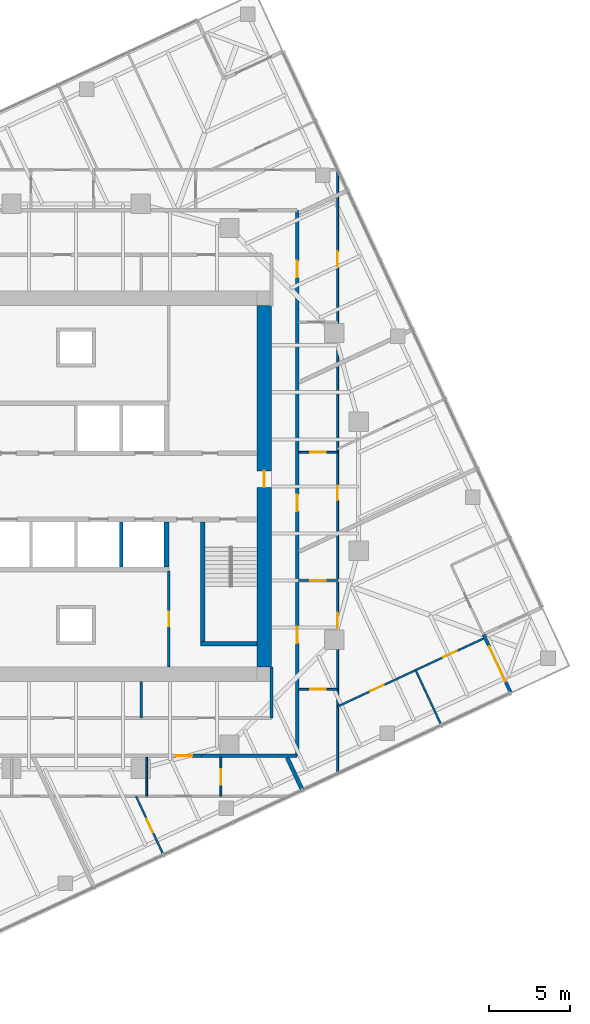
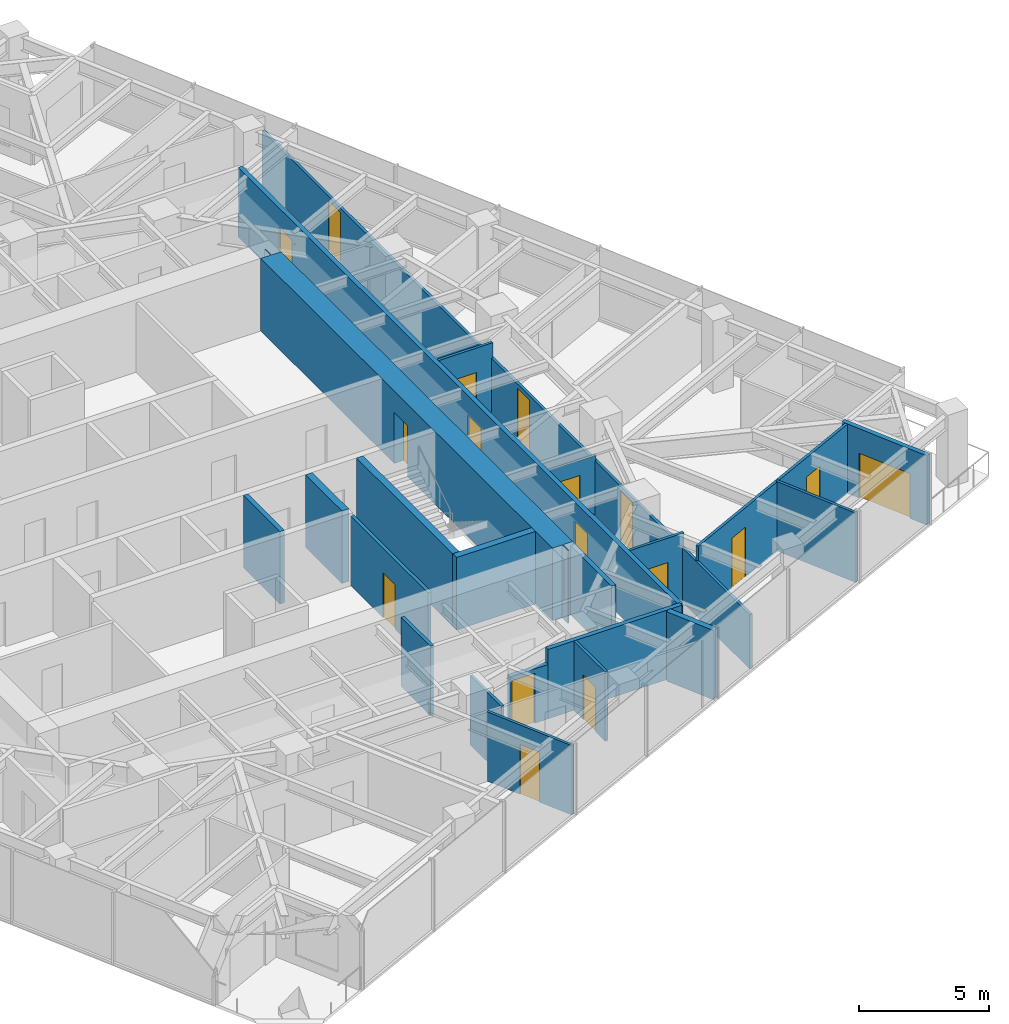
# One storey, part 9 of 12: 22 walls, 17 doors, 17 openings.
"""IFC4 building model written with IfcOpenShell, lengths in metres."""

from ifc_helpers import new_model, si_unit, direction, frame, frame_2d, origin, place, context, subcontext, project, spatial, polyline, rectangle, outline, extrude, material, layer, layer_set, type_object, element, fill, save


model = new_model("IFC4")

# Units and contexts
model_context = context("Model", 3, precision=1e-05, world=origin(), true_north=direction((0.0, 1.0)))
body_context = subcontext(model_context, "Body", "Model", "MODEL_VIEW")
ifc_project = project(units=[si_unit("LENGTHUNIT", "METRE"), si_unit("AREAUNIT", "SQUARE_METRE"), si_unit("VOLUMEUNIT", "CUBIC_METRE"), si_unit("PLANEANGLEUNIT", "RADIAN"), si_unit("MASSUNIT", "GRAM", prefix="KILO")], contexts=[model_context])

# Site, building, storey
site_placement = place(None, origin())
site = spatial("IfcSite", under=ifc_project, at=site_placement, CompositionType="ELEMENT")
building_placement = place(site_placement, origin())
building = spatial("IfcBuilding", under=site, at=building_placement, Name="Torsade Residences", CompositionType="ELEMENT")
storey_placement = place(building_placement, frame((0.0, 0.0, 186.199951171875)))
storey = spatial("IfcBuildingStorey", under=building, at=storey_placement, Name="L51", CompositionType="ELEMENT", Elevation=186.199951171875)

# Walls
ifc_material_1 = material(Name="Concrete 80 MPa", Category="concrete")
ifc_layer_1 = layer(ifc_material_1, 0.300048828125)
ifc_layer_set_1 = layer_set([ifc_layer_1], Name="Concrete 80 MPa")
wall_type_1 = type_object("IfcWallType", Name="CORE INTERNAL WALL 300", PredefinedType="SHEAR", material=ifc_layer_set_1)
wall_1_placement = place(storey_placement, frame((45.60009765625, 27.800048828125, 0.0), z_axis=(0.0, 0.0, 1.0), x_axis=(0.0, -1.0, 0.0)))
element("IfcWall", 1, at=wall_1_placement, inside=storey, type_object=wall_type_1, Name="Core wall DS0 L51", PredefinedType="SHEAR", context=body_context, shape_type="SweptSolid", body=[
    extrude(rectangle(XDim=2.800048828125, YDim=0.300048828125, at=frame_2d((1.39990234375, 0.0))), origin(), (0.0, 0.0, 1.0), 3.400146484375),
])
wall_2_placement = place(storey_placement, frame((47.85009765625, 27.800048828125, 0.0), z_axis=(0.0, 0.0, 1.0), x_axis=(0.0, -1.0, 0.0)))
element("IfcWall", 2, at=wall_2_placement, inside=storey, type_object=wall_type_1, Name="Core wall ST2W L51", PredefinedType="SHEAR", context=body_context, shape_type="SweptSolid", body=[
    extrude(rectangle(XDim=7.699951171875, YDim=0.300048828125, at=frame_2d((3.85009765625, 0.0))), origin(), (0.0, 0.0, 1.0), 3.400146484375),
])
wall_3_placement = place(storey_placement, frame((51.199951171875, 20.25, 0.0), z_axis=(0.0, 0.0, 1.0), x_axis=(-1.0, 0.0, 0.0)))
element("IfcWall", 3, at=wall_3_placement, inside=storey, type_object=wall_type_1, Name="Core wall ST2S L51", PredefinedType="SHEAR", context=body_context, shape_type="SweptSolid", body=[
    extrude(rectangle(XDim=3.5, YDim=0.300048828125, at=frame_2d((1.75, 0.0))), origin(), (0.0, 0.0, 1.0), 3.400146484375),
])

# Wall, opening, door
ifc_material_2 = material(Name="Concrete 80 MPa", Category="concrete")
ifc_layer_2 = layer(ifc_material_2, 0.89990234375)
ifc_layer_set_2 = layer_set([ifc_layer_2], Name="Concrete 80 MPa")
wall_type_2 = type_object("IfcWallType", Name="CORE WALL 900", PredefinedType="SHEAR", material=ifc_layer_set_2)
wall_4_placement = place(storey_placement, frame((51.64990234375, 18.800048828125, 0.0), z_axis=(0.0, 0.0, 1.0), x_axis=(0.0, 1.0, 0.0)))
wall_4 = element("IfcWall", 4, at=wall_4_placement, inside=storey, type_object=wall_type_2, Name="Core wall E L51", PredefinedType="SHEAR", context=body_context, shape_type="SweptSolid", body=[
    extrude(outline(polyline([(0.0, -0.449951171875), (22.39990234375, -0.449951171875), (22.39990234375, -0.02490234375), (22.849853515625, -0.02490234375), (22.849853515625, 0.02490234375), (22.39990234375, 0.02490234375), (22.39990234375, 0.449951171875), (0.0, 0.449951171875), (0.0, 0.02490234375), (-0.449951171875, 0.02490234375), (-0.449951171875, -0.02490234375), (0.0, -0.02490234375), (0.0, -0.449951171875)])), origin(), (0.0, 0.0, 1.0), 3.400146484375),
])
opening_1_placement = place(wall_4_placement, frame((11.139892578125, 0.0, 0.0)))
opening_1 = element("IfcOpeningElement", 5, at=opening_1_placement, cuts=wall_4, Name="Opening D04", PredefinedType="OPENING", context=body_context, shape_type="SweptSolid", body=[
    extrude(rectangle(XDim=1.02001953125, YDim=2.39990234375, at=frame_2d((0.510009765625, 1.199951171875))), frame((0.0, 0.4599609375, 0.0), z_axis=(0.0, -1.0, 0.0), x_axis=(1.0, 0.0, 0.0)), (0.0, 0.0, 1.0), 0.919921875),
])
ifc_material_3 = material(Name="Steel-framed fire door", Category="steel")
door_type_1 = type_object("IfcDoorType", Name="LOBBY SMOKE DOOR 1020x2400", OperationType="NOTDEFINED", PredefinedType="DOOR", material=ifc_material_3)
door_1_placement = place(opening_1_placement, origin())
door_1 = element("IfcDoor", 6, at=door_1_placement, inside=storey, type_object=door_type_1, Name="Lift lobby door E L51", OperationType="SINGLE_SWING_LEFT", OverallHeight=2.39990234375, OverallWidth=1.02001953125, PredefinedType="DOOR", context=body_context, shape_type="SweptSolid", body=[
    extrude(rectangle(XDim=1.02001953125, YDim=2.39990234375, at=frame_2d((0.510009765625, 1.199951171875))), frame((0.0, 0.02490234375, 0.0), z_axis=(0.0, -1.0, 0.0), x_axis=(1.0, 0.0, 0.0)), (0.0, 0.0, 1.0), 0.050048828125),
])
fill(opening_1, door_1)

ifc_material_4 = material(Name="Plasterboard on steel stud", Category="steel")
ifc_layer_3 = layer(ifc_material_4, 0.199951171875)
ifc_layer_set_3 = layer_set([ifc_layer_3], Name="Plasterboard on steel stud")
wall_type_3 = type_object("IfcWallType", Name="CORRIDOR WALL 200", PredefinedType="PARTITIONING", material=ifc_layer_set_3)
wall_5_placement = place(storey_placement, frame((46.091552734375, 13.300048828125, 0.0), z_axis=(0.0, 0.0, 1.0), x_axis=(1.0, 0.0, 0.0)))
wall_5 = element("IfcWall", 7, at=wall_5_placement, inside=storey, type_object=wall_type_3, Name="Corridor wall L51", PredefinedType="PARTITIONING", context=body_context, shape_type="SweptSolid", body=[
    extrude(rectangle(XDim=1.68359375, YDim=0.199951171875, at=frame_2d((0.841796875, 0.0))), origin(), (0.0, 0.0, 1.0), 2.550048828125),
])
opening_2_placement = place(wall_5_placement, frame((0.072509765625, 0.0, 0.0)))
opening_2 = element("IfcOpeningElement", 8, at=opening_2_placement, cuts=wall_5, Name="Opening D01", PredefinedType="OPENING", context=body_context, shape_type="SweptSolid", body=[
    extrude(rectangle(XDim=1.02001953125, YDim=2.340087890625, at=frame_2d((0.510009765625, 1.169921875))), frame((0.0, 0.10986328125, 0.0), z_axis=(0.0, -1.0, 0.0), x_axis=(1.0, 0.0, 0.0)), (0.0, 0.0, 1.0), 0.219970703125),
])
ifc_material_5 = material(Name="Solid-core timber fire door", Category="wood")
door_type_2 = type_object("IfcDoorType", Name="APARTMENT ENTRY DOOR 1020x2340", OperationType="NOTDEFINED", PredefinedType="DOOR", material=ifc_material_5)
door_2_placement = place(opening_2_placement, origin())
door_2 = element("IfcDoor", 9, at=door_2_placement, inside=storey, type_object=door_type_2, Name="Door Residential corridor to Kitchen and dining", OperationType="SINGLE_SWING_RIGHT", OverallHeight=2.340087890625, OverallWidth=1.02001953125, PredefinedType="DOOR", context=body_context, shape_type="SweptSolid", body=[
    extrude(rectangle(XDim=1.02001953125, YDim=2.340087890625, at=frame_2d((0.510009765625, 1.169921875))), frame((0.0, 0.02490234375, 0.0), z_axis=(0.0, -1.0, 0.0), x_axis=(1.0, 0.0, 0.0)), (0.0, 0.0, 1.0), 0.050048828125),
])
fill(opening_2, door_2)

# Wall
wall_6_placement = place(storey_placement, frame((47.775146484375, 13.300048828125, 0.0), z_axis=(0.0, 0.0, 1.0), x_axis=(1.0, 0.0, 0.0)))
element("IfcWall", 10, at=wall_6_placement, inside=storey, type_object=wall_type_3, Name="Corridor wall L51", PredefinedType="PARTITIONING", context=body_context, shape_type="SweptSolid", body=[
    extrude(rectangle(XDim=5.9248046875, YDim=0.199951171875, at=frame_2d((2.96240234375, 0.0))), origin(), (0.0, 0.0, 1.0), 3.25),
])

# Wall, openings, doors
wall_7_placement = place(storey_placement, frame((53.699951171875, 13.300048828125, 0.0), z_axis=(0.0, 0.0, 1.0), x_axis=(0.0, 1.0, 0.0)))
wall_7 = element("IfcWall", 11, at=wall_7_placement, inside=storey, type_object=wall_type_3, Name="Corridor wall L51", PredefinedType="PARTITIONING", context=body_context, shape_type="SweptSolid", body=[
    extrude(rectangle(XDim=33.800048828125, YDim=0.199951171875, at=frame_2d((16.89990234375, 0.0))), origin(), (0.0, 0.0, 1.0), 3.25),
])
opening_3_placement = place(wall_7_placement, frame((6.983642578125, 0.0, 0.0)))
opening_3 = element("IfcOpeningElement", 12, at=opening_3_placement, cuts=wall_7, Name="Opening D01", PredefinedType="OPENING", context=body_context, shape_type="SweptSolid", body=[
    extrude(rectangle(XDim=1.02001953125, YDim=2.340087890625, at=frame_2d((0.510009765625, 1.169921875))), frame((0.0, 0.10986328125, 0.0), z_axis=(0.0, -1.0, 0.0), x_axis=(1.0, 0.0, 0.0)), (0.0, 0.0, 1.0), 0.219970703125),
])
opening_4_placement = place(wall_7_placement, frame((29.6484375, 0.0, 0.0)))
opening_4 = element("IfcOpeningElement", 13, at=opening_4_placement, cuts=wall_7, Name="Opening D01", PredefinedType="OPENING", context=body_context, shape_type="SweptSolid", body=[
    extrude(rectangle(XDim=1.02001953125, YDim=2.340087890625, at=frame_2d((0.510009765625, 1.169921875))), frame((0.0, 0.10986328125, 0.0), z_axis=(0.0, -1.0, 0.0), x_axis=(1.0, 0.0, 0.0)), (0.0, 0.0, 1.0), 0.219970703125),
])
opening_5_placement = place(wall_7_placement, frame((15.160400390625, 0.0, 0.0)))
opening_5 = element("IfcOpeningElement", 14, at=opening_5_placement, cuts=wall_7, Name="Opening D01", PredefinedType="OPENING", context=body_context, shape_type="SweptSolid", body=[
    extrude(rectangle(XDim=1.02001953125, YDim=2.340087890625, at=frame_2d((0.510009765625, 1.169921875))), frame((0.0, 0.10986328125, 0.0), z_axis=(0.0, -1.0, 0.0), x_axis=(1.0, 0.0, 0.0)), (0.0, 0.0, 1.0), 0.219970703125),
])
door_3_placement = place(opening_3_placement, origin())
door_3 = element("IfcDoor", 15, at=door_3_placement, inside=storey, type_object=door_type_2, Name="Door Residential corridor to Kitchen and dining", OperationType="SINGLE_SWING_LEFT", OverallHeight=2.340087890625, OverallWidth=1.02001953125, PredefinedType="DOOR", context=body_context, shape_type="SweptSolid", body=[
    extrude(rectangle(XDim=1.02001953125, YDim=2.340087890625, at=frame_2d((0.510009765625, 1.169921875))), frame((0.0, 0.02490234375, 0.0), z_axis=(0.0, -1.0, 0.0), x_axis=(1.0, 0.0, 0.0)), (0.0, 0.0, 1.0), 0.050048828125),
])
fill(opening_3, door_3)
door_4_placement = place(opening_4_placement, origin())
door_4 = element("IfcDoor", 16, at=door_4_placement, inside=storey, type_object=door_type_2, Name="Door Residential corridor to Kitchen and dining", OperationType="SINGLE_SWING_RIGHT", OverallHeight=2.340087890625, OverallWidth=1.02001953125, PredefinedType="DOOR", context=body_context, shape_type="SweptSolid", body=[
    extrude(rectangle(XDim=1.02001953125, YDim=2.340087890625, at=frame_2d((0.510009765625, 1.169921875))), frame((0.0, 0.02490234375, 0.0), z_axis=(0.0, -1.0, 0.0), x_axis=(1.0, 0.0, 0.0)), (0.0, 0.0, 1.0), 0.050048828125),
])
fill(opening_4, door_4)
door_5_placement = place(opening_5_placement, origin())
door_5 = element("IfcDoor", 17, at=door_5_placement, inside=storey, type_object=door_type_2, Name="Door Residential corridor to Kitchen and dining", OperationType="SINGLE_SWING_LEFT", OverallHeight=2.340087890625, OverallWidth=1.02001953125, PredefinedType="DOOR", context=body_context, shape_type="SweptSolid", body=[
    extrude(rectangle(XDim=1.02001953125, YDim=2.340087890625, at=frame_2d((0.510009765625, 1.169921875))), frame((0.0, 0.02490234375, 0.0), z_axis=(0.0, -1.0, 0.0), x_axis=(1.0, 0.0, 0.0)), (0.0, 0.0, 1.0), 0.050048828125),
])
fill(opening_5, door_5)

# Walls
wall_8_placement = place(storey_placement, frame((52.10009765625, 15.64990234375, 0.0), z_axis=(0.0, 0.0, 1.0), x_axis=(0.0, 1.0, 0.0)))
element("IfcWall", 18, at=wall_8_placement, inside=storey, type_object=wall_type_3, Name="Corridor wall L51", PredefinedType="PARTITIONING", context=body_context, shape_type="SweptSolid", body=[
    extrude(rectangle(XDim=3.170166015625, YDim=0.199951171875, at=frame_2d((1.5849609375, 0.0))), origin(), (0.0, 0.0, 1.0), 3.25),
])
ifc_material_6 = material(Name="Reinforced blockwork", Category="masonry")
ifc_layer_4 = layer(ifc_material_6, 0.199951171875)
ifc_layer_set_4 = layer_set([ifc_layer_4], Name="Reinforced blockwork")
wall_type_4 = type_object("IfcWallType", Name="LIFT SHAFT DIVIDING WALL 200", PredefinedType="SOLIDWALL", material=ifc_layer_set_4)
wall_9_placement = place(storey_placement, frame((42.800048828125, 27.800048828125, 0.0), z_axis=(0.0, 0.0, 1.0), x_axis=(0.0, -1.0, 0.0)))
element("IfcWall", 19, at=wall_9_placement, inside=storey, type_object=wall_type_4, Name="Core wall DS1 L51", PredefinedType="SOLIDWALL", context=body_context, shape_type="SweptSolid", body=[
    extrude(rectangle(XDim=2.800048828125, YDim=0.199951171875, at=frame_2d((1.39990234375, 0.0))), origin(), (0.0, 0.0, 1.0), 3.400146484375),
])
ifc_material_7 = material(Name="Plasterboard on steel stud", Category="steel")
ifc_layer_5 = layer(ifc_material_7, 0.1201171875)
ifc_layer_set_5 = layer_set([ifc_layer_5], Name="Plasterboard on steel stud")
wall_type_5 = type_object("IfcWallType", Name="PARTITION 120", PredefinedType="PARTITIONING", material=ifc_layer_set_5)
wall_10_placement = place(storey_placement, frame((44.375244140625, 10.800048828125, 0.0), z_axis=(0.0, 0.0, 1.0), x_axis=(0.0, 1.0, 0.0)))
element("IfcWall", 20, at=wall_10_placement, inside=storey, type_object=wall_type_5, Name="Partition L51", PredefinedType="PARTITIONING", context=body_context, shape_type="SweptSolid", body=[
    extrude(rectangle(XDim=2.39990234375, YDim=0.1201171875, at=frame_2d((1.199951171875, 0.0))), origin(), (0.0, 0.0, 1.0), 3.25),
])

# Wall, opening, door
wall_11_placement = place(storey_placement, frame((48.97314453125, 13.199951171875, 0.0), z_axis=(0.0, 0.0, 1.0), x_axis=(0.0, -1.0, 0.0)))
wall_11 = element("IfcWall", 21, at=wall_11_placement, inside=storey, type_object=wall_type_5, Name="Partition L51", PredefinedType="PARTITIONING", context=body_context, shape_type="SweptSolid", body=[
    extrude(rectangle(XDim=2.39990234375, YDim=0.1201171875, at=frame_2d((1.199951171875, 0.0))), origin(), (0.0, 0.0, 1.0), 3.25),
])
opening_6_placement = place(wall_11_placement, frame((0.719970703125, 0.0, 0.0)))
opening_6 = element("IfcOpeningElement", 22, at=opening_6_placement, cuts=wall_11, Name="Opening D05", PredefinedType="OPENING", context=body_context, shape_type="SweptSolid", body=[
    extrude(rectangle(XDim=0.9599609375, YDim=2.10009765625, at=frame_2d((0.47998046875, 1.050048828125))), frame((0.0, 0.070068359375, 0.0), z_axis=(0.0, -1.0, 0.0), x_axis=(1.0, 0.0, 0.0)), (0.0, 0.0, 1.0), 0.14013671875),
])
ifc_material_8 = material(Name="Hollow-core timber door in a steel cavity frame", Category="steel")
door_type_3 = type_object("IfcDoorType", Name="BATHROOM CAVITY SLIDING DOOR 960", OperationType="SLIDING_TO_LEFT", PredefinedType="DOOR", material=ifc_material_8)
door_6_placement = place(opening_6_placement, origin())
door_6 = element("IfcDoor", 23, at=door_6_placement, inside=storey, type_object=door_type_3, Name="Door Kitchen and dining to WC", OperationType="SLIDING_TO_LEFT", OverallHeight=2.10009765625, OverallWidth=0.9599609375, PredefinedType="DOOR", context=body_context, shape_type="SweptSolid", body=[
    extrude(rectangle(XDim=0.9599609375, YDim=2.10009765625, at=frame_2d((0.47998046875, 1.050048828125))), frame((0.0, 0.02490234375, 0.0), z_axis=(0.0, -1.0, 0.0), x_axis=(1.0, 0.0, 0.0)), (0.0, 0.0, 1.0), 0.050048828125),
])
fill(opening_6, door_6)

wall_12_placement = place(storey_placement, frame((43.712158203125, 10.800048828125, 0.0), z_axis=(0.0, 0.0, 1.0), x_axis=(0.422620823304, -0.906306592556, 0.0)))
wall_12 = element("IfcWall", 24, at=wall_12_placement, inside=storey, type_object=wall_type_5, Name="Partition L51", PredefinedType="PARTITIONING", context=body_context, shape_type="SweptSolid", body=[
    extrude(rectangle(XDim=3.989990234375, YDim=0.1201171875, at=frame_2d((1.9951171875, 0.0))), origin(), (0.0, 0.0, 1.0), 3.25),
])
opening_7_placement = place(wall_12_placement, frame((1.554931640625, 0.0, 0.0)))
opening_7 = element("IfcOpeningElement", 25, at=opening_7_placement, cuts=wall_12, Name="Opening D02", PredefinedType="OPENING", context=body_context, shape_type="SweptSolid", body=[
    extrude(rectangle(XDim=0.919921875, YDim=2.340087890625, at=frame_2d((0.4599609375, 1.169921875))), frame((0.0, 0.070068359375, 0.0), z_axis=(0.0, -1.0, 0.0), x_axis=(1.0, 0.0, 0.0)), (0.0, 0.0, 1.0), 0.14013671875),
])
ifc_material_9 = material(Name="Hollow-core timber door", Category="wood")
door_type_4 = type_object("IfcDoorType", Name="INTERNAL DOOR 920x2340", OperationType="NOTDEFINED", PredefinedType="DOOR", material=ifc_material_9)
door_7_placement = place(opening_7_placement, origin())
door_7 = element("IfcDoor", 26, at=door_7_placement, inside=storey, type_object=door_type_4, Name="Door Bedroom 1 to Living room", OperationType="SINGLE_SWING_LEFT", OverallHeight=2.340087890625, OverallWidth=0.919921875, PredefinedType="DOOR", context=body_context, shape_type="SweptSolid", body=[
    extrude(rectangle(XDim=0.919921875, YDim=2.340087890625, at=frame_2d((0.4599609375, 1.169921875))), frame((0.0, 0.02490234375, 0.0), z_axis=(0.0, -1.0, 0.0), x_axis=(1.0, 0.0, 0.0)), (0.0, 0.0, 1.0), 0.050048828125),
])
fill(opening_7, door_7)

wall_13_placement = place(storey_placement, frame((56.199951171875, 17.421630859375, 0.0), z_axis=(0.0, 0.0, 1.0), x_axis=(-1.0, 0.0, 0.0)))
wall_13 = element("IfcWall", 27, at=wall_13_placement, inside=storey, type_object=wall_type_5, Name="Partition L51", PredefinedType="PARTITIONING", context=body_context, shape_type="SweptSolid", body=[
    extrude(rectangle(XDim=2.39990234375, YDim=0.1201171875, at=frame_2d((1.199951171875, 0.0))), origin(), (0.0, 0.0, 1.0), 3.25),
])
opening_8_placement = place(wall_13_placement, frame((0.719970703125, 0.0, 0.0)))
opening_8 = element("IfcOpeningElement", 28, at=opening_8_placement, cuts=wall_13, Name="Opening D05", PredefinedType="OPENING", context=body_context, shape_type="SweptSolid", body=[
    extrude(rectangle(XDim=0.9599609375, YDim=2.10009765625, at=frame_2d((0.47998046875, 1.050048828125))), frame((0.0, 0.070068359375, 0.0), z_axis=(0.0, -1.0, 0.0), x_axis=(1.0, 0.0, 0.0)), (0.0, 0.0, 1.0), 0.14013671875),
])
door_8_placement = place(opening_8_placement, origin())
door_8 = element("IfcDoor", 29, at=door_8_placement, inside=storey, type_object=door_type_3, Name="Door Kitchen and dining to Bathroom", OperationType="SLIDING_TO_LEFT", OverallHeight=2.10009765625, OverallWidth=0.9599609375, PredefinedType="DOOR", context=body_context, shape_type="SweptSolid", body=[
    extrude(rectangle(XDim=0.9599609375, YDim=2.10009765625, at=frame_2d((0.47998046875, 1.050048828125))), frame((0.0, 0.02490234375, 0.0), z_axis=(0.0, -1.0, 0.0), x_axis=(1.0, 0.0, 0.0)), (0.0, 0.0, 1.0), 0.050048828125),
])
fill(opening_8, door_8)

wall_14_placement = place(storey_placement, frame((53.800048828125, 24.165771484375, 0.0), z_axis=(0.0, 0.0, 1.0), x_axis=(1.0, 0.0, 0.0)))
wall_14 = element("IfcWall", 30, at=wall_14_placement, inside=storey, type_object=wall_type_5, Name="Partition L51", PredefinedType="PARTITIONING", context=body_context, shape_type="SweptSolid", body=[
    extrude(rectangle(XDim=2.39990234375, YDim=0.1201171875, at=frame_2d((1.199951171875, 0.0))), origin(), (0.0, 0.0, 1.0), 2.796142578125),
])
opening_9_placement = place(wall_14_placement, frame((0.719970703125, 0.0, 0.0)))
opening_9 = element("IfcOpeningElement", 31, at=opening_9_placement, cuts=wall_14, Name="Opening D05", PredefinedType="OPENING", context=body_context, shape_type="SweptSolid", body=[
    extrude(rectangle(XDim=0.9599609375, YDim=2.10009765625, at=frame_2d((0.47998046875, 1.050048828125))), frame((0.0, 0.070068359375, 0.0), z_axis=(0.0, -1.0, 0.0), x_axis=(1.0, 0.0, 0.0)), (0.0, 0.0, 1.0), 0.14013671875),
])
door_9_placement = place(opening_9_placement, origin())
door_9 = element("IfcDoor", 32, at=door_9_placement, inside=storey, type_object=door_type_3, Name="Door Kitchen and dining to Ensuite", OperationType="SLIDING_TO_LEFT", OverallHeight=2.10009765625, OverallWidth=0.9599609375, PredefinedType="DOOR", context=body_context, shape_type="SweptSolid", body=[
    extrude(rectangle(XDim=0.9599609375, YDim=2.10009765625, at=frame_2d((0.47998046875, 1.050048828125))), frame((0.0, 0.02490234375, 0.0), z_axis=(0.0, -1.0, 0.0), x_axis=(1.0, 0.0, 0.0)), (0.0, 0.0, 1.0), 0.050048828125),
])
fill(opening_9, door_9)

# Wall, openings, doors
wall_15_placement = place(storey_placement, frame((56.199951171875, 49.6416015625, 0.0), z_axis=(0.0, 0.0, 1.0), x_axis=(0.0, -1.0, 0.0)))
wall_15 = element("IfcWall", 33, at=wall_15_placement, inside=storey, type_object=wall_type_5, Name="Partition L51", PredefinedType="PARTITIONING", context=body_context, shape_type="SweptSolid", body=[
    extrude(rectangle(XDim=37.4208984375, YDim=0.1201171875, at=frame_2d((18.71044921875, 0.0))), origin(), (0.0, 0.0, 1.0), 2.550048828125),
])
opening_10_placement = place(wall_15_placement, frame((27.48779296875, 0.0, 0.0)))
opening_10 = element("IfcOpeningElement", 34, at=opening_10_placement, cuts=wall_15, Name="Opening D02", PredefinedType="OPENING", context=body_context, shape_type="SweptSolid", body=[
    extrude(rectangle(XDim=0.919921875, YDim=2.340087890625, at=frame_2d((0.4599609375, 1.169921875))), frame((0.0, 0.070068359375, 0.0), z_axis=(0.0, -1.0, 0.0), x_axis=(1.0, 0.0, 0.0)), (0.0, 0.0, 1.0), 0.14013671875),
])
opening_11_placement = place(wall_15_placement, frame((5.080078125, 0.0, 0.0)))
opening_11 = element("IfcOpeningElement", 35, at=opening_11_placement, cuts=wall_15, Name="Opening D02", PredefinedType="OPENING", context=body_context, shape_type="SweptSolid", body=[
    extrude(rectangle(XDim=0.919921875, YDim=2.340087890625, at=frame_2d((0.4599609375, 1.169921875))), frame((0.0, 0.070068359375, 0.0), z_axis=(0.0, -1.0, 0.0), x_axis=(1.0, 0.0, 0.0)), (0.0, 0.0, 1.0), 0.14013671875),
])
opening_12_placement = place(wall_15_placement, frame((19.59228515625, 0.0, 0.0)))
opening_12 = element("IfcOpeningElement", 36, at=opening_12_placement, cuts=wall_15, Name="Opening D02", PredefinedType="OPENING", context=body_context, shape_type="SweptSolid", body=[
    extrude(rectangle(XDim=0.919921875, YDim=2.340087890625, at=frame_2d((0.4599609375, 1.169921875))), frame((0.0, 0.070068359375, 0.0), z_axis=(0.0, -1.0, 0.0), x_axis=(1.0, 0.0, 0.0)), (0.0, 0.0, 1.0), 0.14013671875),
])
door_10_placement = place(opening_10_placement, origin())
door_10 = element("IfcDoor", 37, at=door_10_placement, inside=storey, type_object=door_type_4, Name="Door Kitchen and dining to Living room", OperationType="SINGLE_SWING_RIGHT", OverallHeight=2.340087890625, OverallWidth=0.919921875, PredefinedType="DOOR", context=body_context, shape_type="SweptSolid", body=[
    extrude(rectangle(XDim=0.919921875, YDim=2.340087890625, at=frame_2d((0.4599609375, 1.169921875))), frame((0.0, 0.02490234375, 0.0), z_axis=(0.0, -1.0, 0.0), x_axis=(1.0, 0.0, 0.0)), (0.0, 0.0, 1.0), 0.050048828125),
])
fill(opening_10, door_10)
door_11_placement = place(opening_11_placement, origin())
door_11 = element("IfcDoor", 38, at=door_11_placement, inside=storey, type_object=door_type_4, Name="Door Kitchen and dining to Studio living and sleeping", OperationType="SINGLE_SWING_LEFT", OverallHeight=2.340087890625, OverallWidth=0.919921875, PredefinedType="DOOR", context=body_context, shape_type="SweptSolid", body=[
    extrude(rectangle(XDim=0.919921875, YDim=2.340087890625, at=frame_2d((0.4599609375, 1.169921875))), frame((0.0, 0.02490234375, 0.0), z_axis=(0.0, -1.0, 0.0), x_axis=(1.0, 0.0, 0.0)), (0.0, 0.0, 1.0), 0.050048828125),
])
fill(opening_11, door_11)
door_12_placement = place(opening_12_placement, origin())
door_12 = element("IfcDoor", 39, at=door_12_placement, inside=storey, type_object=door_type_4, Name="Door Kitchen and dining to Living room", OperationType="SINGLE_SWING_RIGHT", OverallHeight=2.340087890625, OverallWidth=0.919921875, PredefinedType="DOOR", context=body_context, shape_type="SweptSolid", body=[
    extrude(rectangle(XDim=0.919921875, YDim=2.340087890625, at=frame_2d((0.4599609375, 1.169921875))), frame((0.0, 0.02490234375, 0.0), z_axis=(0.0, -1.0, 0.0), x_axis=(1.0, 0.0, 0.0)), (0.0, 0.0, 1.0), 0.050048828125),
])
fill(opening_12, door_12)

wall_16_placement = place(storey_placement, frame((65.30322265625, 20.60009765625, 0.0), z_axis=(0.0, 0.0, 1.0), x_axis=(-0.906300466163, -0.422633961049, 0.0)))
wall_16 = element("IfcWall", 40, at=wall_16_placement, inside=storey, type_object=wall_type_5, Name="Partition L51", PredefinedType="PARTITIONING", context=body_context, shape_type="SweptSolid", body=[
    extrude(rectangle(XDim=10.04443359375, YDim=0.1201171875, at=frame_2d((5.022216796875, 0.0))), origin(), (0.0, 0.0, 1.0), 3.25),
])
opening_13_placement = place(wall_16_placement, frame((6.892333984375, 0.0, 0.0)))
opening_13 = element("IfcOpeningElement", 41, at=opening_13_placement, cuts=wall_16, Name="Opening D02", PredefinedType="OPENING", context=body_context, shape_type="SweptSolid", body=[
    extrude(rectangle(XDim=0.919921875, YDim=2.340087890625, at=frame_2d((0.4599609375, 1.169921875))), frame((0.0, 0.070068359375, 0.0), z_axis=(0.0, -1.0, 0.0), x_axis=(1.0, 0.0, 0.0)), (0.0, 0.0, 1.0), 0.14013671875),
])
opening_14_placement = place(wall_16_placement, frame((1.89990234375, 0.0, 0.0)))
opening_14 = element("IfcOpeningElement", 42, at=opening_14_placement, cuts=wall_16, Name="Opening D02", PredefinedType="OPENING", context=body_context, shape_type="SweptSolid", body=[
    extrude(rectangle(XDim=0.919921875, YDim=2.340087890625, at=frame_2d((0.4599609375, 1.169921875))), frame((0.0, 0.070068359375, 0.0), z_axis=(0.0, -1.0, 0.0), x_axis=(1.0, 0.0, 0.0)), (0.0, 0.0, 1.0), 0.14013671875),
])
door_13_placement = place(opening_13_placement, origin())
door_13 = element("IfcDoor", 43, at=door_13_placement, inside=storey, type_object=door_type_4, Name="Door Living room to Bedroom 1", OperationType="SINGLE_SWING_LEFT", OverallHeight=2.340087890625, OverallWidth=0.919921875, PredefinedType="DOOR", context=body_context, shape_type="SweptSolid", body=[
    extrude(rectangle(XDim=0.919921875, YDim=2.340087890625, at=frame_2d((0.4599609375, 1.169921875))), frame((0.0, 0.02490234375, 0.0), z_axis=(0.0, -1.0, 0.0), x_axis=(1.0, 0.0, 0.0)), (0.0, 0.0, 1.0), 0.050048828125),
])
fill(opening_13, door_13)
door_14_placement = place(opening_14_placement, origin())
door_14 = element("IfcDoor", 44, at=door_14_placement, inside=storey, type_object=door_type_4, Name="Door Living room to Bedroom 2", OperationType="SINGLE_SWING_RIGHT", OverallHeight=2.340087890625, OverallWidth=0.919921875, PredefinedType="DOOR", context=body_context, shape_type="SweptSolid", body=[
    extrude(rectangle(XDim=0.919921875, YDim=2.340087890625, at=frame_2d((0.4599609375, 1.169921875))), frame((0.0, 0.02490234375, 0.0), z_axis=(0.0, -1.0, 0.0), x_axis=(1.0, 0.0, 0.0)), (0.0, 0.0, 1.0), 0.050048828125),
])
fill(opening_14, door_14)

# Wall
wall_17_placement = place(storey_placement, frame((61.03466796875, 18.609375, 0.0), z_axis=(0.0, 0.0, 1.0), x_axis=(0.422600090785, -0.906316260071, 0.0)))
element("IfcWall", 45, at=wall_17_placement, inside=storey, type_object=wall_type_5, Name="Partition L51", PredefinedType="PARTITIONING", context=body_context, shape_type="SweptSolid", body=[
    extrude(rectangle(XDim=3.7470703125, YDim=0.1201171875, at=frame_2d((1.87353515625, 0.0))), origin(), (0.0, 0.0, 1.0), 3.25),
])

# Wall, opening, door
wall_18_placement = place(storey_placement, frame((53.800048828125, 32.106689453125, 0.0), z_axis=(0.0, 0.0, 1.0), x_axis=(1.0, 0.0, 0.0)))
wall_18 = element("IfcWall", 46, at=wall_18_placement, inside=storey, type_object=wall_type_5, Name="Partition L51", PredefinedType="PARTITIONING", context=body_context, shape_type="SweptSolid", body=[
    extrude(rectangle(XDim=2.39990234375, YDim=0.1201171875, at=frame_2d((1.199951171875, 0.0))), origin(), (0.0, 0.0, 1.0), 3.25),
])
opening_15_placement = place(wall_18_placement, frame((0.719970703125, 0.0, 0.0)))
opening_15 = element("IfcOpeningElement", 47, at=opening_15_placement, cuts=wall_18, Name="Opening D05", PredefinedType="OPENING", context=body_context, shape_type="SweptSolid", body=[
    extrude(rectangle(XDim=0.9599609375, YDim=2.10009765625, at=frame_2d((0.47998046875, 1.050048828125))), frame((0.0, 0.070068359375, 0.0), z_axis=(0.0, -1.0, 0.0), x_axis=(1.0, 0.0, 0.0)), (0.0, 0.0, 1.0), 0.14013671875),
])
door_15_placement = place(opening_15_placement, origin())
door_15 = element("IfcDoor", 48, at=door_15_placement, inside=storey, type_object=door_type_3, Name="Door Kitchen and dining to Bathroom", OperationType="SLIDING_TO_LEFT", OverallHeight=2.10009765625, OverallWidth=0.9599609375, PredefinedType="DOOR", context=body_context, shape_type="SweptSolid", body=[
    extrude(rectangle(XDim=0.9599609375, YDim=2.10009765625, at=frame_2d((0.47998046875, 1.050048828125))), frame((0.0, 0.02490234375, 0.0), z_axis=(0.0, -1.0, 0.0), x_axis=(1.0, 0.0, 0.0)), (0.0, 0.0, 1.0), 0.050048828125),
])
fill(opening_15, door_15)

# Wall
ifc_material_10 = material(Name="Masonry-lined stud party wall", Category="masonry")
ifc_layer_6 = layer(ifc_material_10, 0.25)
ifc_layer_set_6 = layer_set([ifc_layer_6], Name="Masonry-lined stud party wall")
wall_type_6 = type_object("IfcWallType", Name="PARTY WALL 250", PredefinedType="PARTITIONING", material=ifc_layer_set_6)
wall_19_placement = place(storey_placement, frame((54.025146484375, 11.162353515625, 0.0), z_axis=(0.0, 0.0, 1.0), x_axis=(-0.422609736898, 0.906311762187, 0.0)))
element("IfcWall", 49, at=wall_19_placement, inside=storey, type_object=wall_type_6, Name="Party wall L51", PredefinedType="PARTITIONING", context=body_context, shape_type="SweptSolid", body=[
    extrude(rectangle(XDim=2.22998046875, YDim=0.25, at=frame_2d((1.114990234375, 0.0))), origin(), (0.0, 0.0, 1.0), 3.25),
])

# Wall, opening, door
ifc_material_11 = material(Name="Reinforced blockwork", Category="masonry")
ifc_layer_7 = layer(ifc_material_11, 0.14990234375)
ifc_layer_set_7 = layer_set([ifc_layer_7], Name="Reinforced blockwork")
wall_type_7 = type_object("IfcWallType", Name="SERVICE ROOM WALL 150", PredefinedType="SOLIDWALL", material=ifc_layer_set_7)
wall_20_placement = place(storey_placement, frame((45.75, 18.800048828125, 0.0), z_axis=(0.0, 0.0, 1.0), x_axis=(0.0, 1.0, 0.0)))
wall_20 = element("IfcWall", 50, at=wall_20_placement, inside=storey, type_object=wall_type_7, Name="Service room wall L51", PredefinedType="SOLIDWALL", context=body_context, shape_type="SweptSolid", body=[
    extrude(rectangle(XDim=5.949951171875, YDim=0.14990234375, at=frame_2d((2.97509765625, 0.0))), origin(), (0.0, 0.0, 1.0), 3.25),
])
opening_16_placement = place(wall_20_placement, frame((2.514892578125, 0.0, 0.0)))
opening_16 = element("IfcOpeningElement", 51, at=opening_16_placement, cuts=wall_20, Name="Opening D06", PredefinedType="OPENING", context=body_context, shape_type="SweptSolid", body=[
    extrude(rectangle(XDim=0.919921875, YDim=2.10009765625, at=frame_2d((0.4599609375, 1.050048828125))), frame((0.0, 0.0849609375, 0.0), z_axis=(0.0, -1.0, 0.0), x_axis=(1.0, 0.0, 0.0)), (0.0, 0.0, 1.0), 0.169921875),
])
ifc_material_12 = material(Name="Steel-framed fire door", Category="steel")
door_type_5 = type_object("IfcDoorType", Name="FIRE DOOR 920", OperationType="NOTDEFINED", PredefinedType="DOOR", material=ifc_material_12)
door_16_placement = place(opening_16_placement, origin())
door_16 = element("IfcDoor", 52, at=door_16_placement, inside=storey, type_object=door_type_5, Name="Door Security and data store to Communications riser room", OperationType="SINGLE_SWING_LEFT", OverallHeight=2.10009765625, OverallWidth=0.919921875, PredefinedType="DOOR", context=body_context, shape_type="SweptSolid", body=[
    extrude(rectangle(XDim=0.919921875, YDim=2.10009765625, at=frame_2d((0.4599609375, 1.050048828125))), frame((0.0, 0.02490234375, 0.0), z_axis=(0.0, -1.0, 0.0), x_axis=(1.0, 0.0, 0.0)), (0.0, 0.0, 1.0), 0.050048828125),
])
fill(opening_16, door_16)

# Wall
wall_21_placement = place(storey_placement, frame((44.04150390625, 15.64990234375, 0.0), z_axis=(0.0, 0.0, 1.0), x_axis=(0.0, 1.0, 0.0)))
element("IfcWall", 53, at=wall_21_placement, inside=storey, type_object=wall_type_7, Name="Service room wall L51", PredefinedType="SOLIDWALL", context=body_context, shape_type="SweptSolid", body=[
    extrude(rectangle(XDim=2.25, YDim=0.14990234375, at=frame_2d((1.125, 0.0))), origin(), (0.0, 0.0, 1.0), 3.25),
])

# Wall, opening, door
ifc_material_13 = material(Name="Stone-faced precast concrete 40 MPa panel", Category="masonry")
ifc_layer_8 = layer(ifc_material_13, 0.199951171875)
ifc_layer_set_8 = layer_set([ifc_layer_8], Name="Stone-faced precast concrete 40 MPa panel")
wall_type_8 = type_object("IfcWallType", Name="TERRACE WALL 200", PredefinedType="SOLIDWALL", material=ifc_layer_set_8)
wall_22_placement = place(storey_placement, frame((66.940185546875, 17.1845703125, 0.0), z_axis=(0.0, 0.0, 1.0), x_axis=(-0.422658246362, 0.906289140828, 0.0)))
wall_22 = element("IfcWall", 54, at=wall_22_placement, inside=storey, type_object=wall_type_8, Name="Terrace wall L51 2", PredefinedType="SOLIDWALL", context=body_context, shape_type="SweptSolid", body=[
    extrude(rectangle(XDim=4.0, YDim=0.199951171875, at=frame_2d((2.0, 0.0))), origin(), (0.0, 0.0, 1.0), 3.25),
])
opening_17_placement = place(wall_22_placement, frame((0.800048828125, 0.0, 0.0)))
opening_17 = element("IfcOpeningElement", 55, at=opening_17_placement, cuts=wall_22, Name="Opening D10A", PredefinedType="OPENING", context=body_context, shape_type="SweptSolid", body=[
    extrude(rectangle(XDim=2.39990234375, YDim=2.10009765625, at=frame_2d((1.199951171875, 1.050048828125))), frame((0.0, 0.10986328125, 0.0), z_axis=(0.0, -1.0, 0.0), x_axis=(1.0, 0.0, 0.0)), (0.0, 0.0, 1.0), 0.219970703125),
])
ifc_material_14 = material(Name="Aluminium-framed glass door", Category="aluminium")
door_type_6 = type_object("IfcDoorType", Name="TERRACE SLIDING DOOR 2400x2100", OperationType="SLIDING_TO_LEFT", PredefinedType="DOOR", material=ifc_material_14)
door_17_placement = place(opening_17_placement, origin())
door_17 = element("IfcDoor", 56, at=door_17_placement, inside=storey, type_object=door_type_6, Name="Terrace door L51 2", OperationType="SLIDING_TO_LEFT", OverallHeight=2.10009765625, OverallWidth=2.39990234375, PredefinedType="DOOR", context=body_context, shape_type="SweptSolid", body=[
    extrude(rectangle(XDim=2.39990234375, YDim=2.10009765625, at=frame_2d((1.199951171875, 1.050048828125))), frame((0.0, 0.02490234375, 0.0), z_axis=(0.0, -1.0, 0.0), x_axis=(1.0, 0.0, 0.0)), (0.0, 0.0, 1.0), 0.050048828125),
])
fill(opening_17, door_17)

save(model, "model.ifc")
